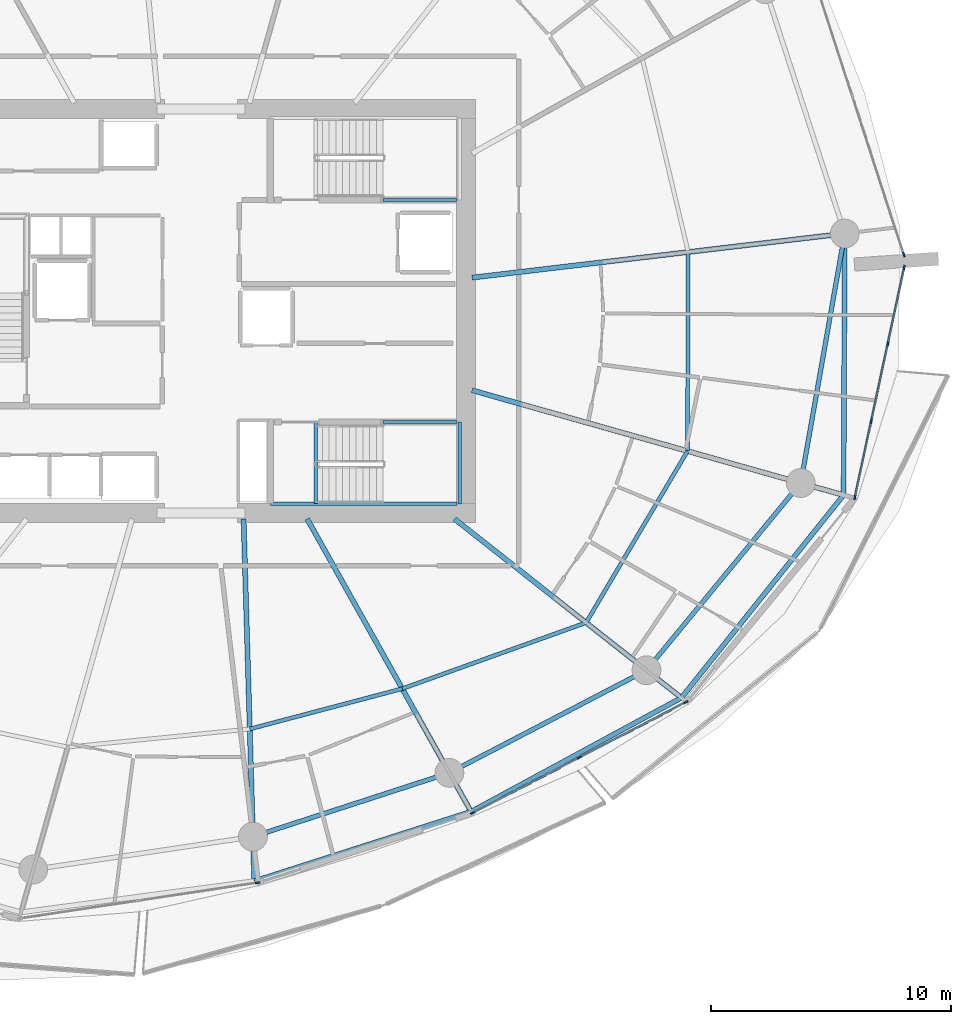
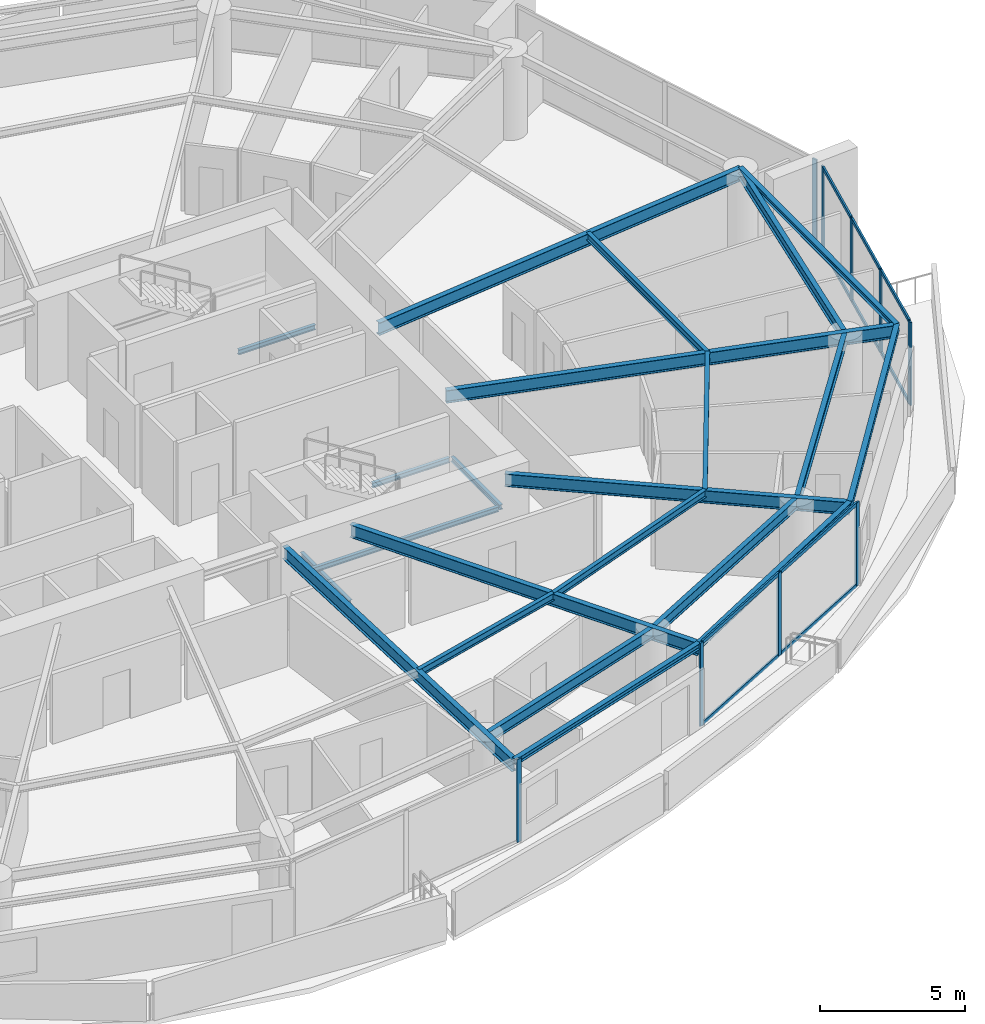
# One storey, part 7 of 23: 22 beams, 19 members, 4 elements without a shape of their own.
"""IFC4 building model written with IfcOpenShell, lengths in metres."""

from ifc_helpers import new_model, si_unit, direction, frame, origin, origin_2d, place, context, subcontext, project, spatial, rectangle, i_section, extrude, material, layer, layer_set, material_profile, profile_set, type_object, element, aggregate, save


model = new_model("IFC4")

# Units and contexts
model_context = context("Model", 3, precision=1e-05, world=origin(), true_north=direction((0.0, 1.0)))
body_context = subcontext(model_context, "Body", "Model", "MODEL_VIEW")
ifc_project = project(units=[si_unit("LENGTHUNIT", "METRE"), si_unit("AREAUNIT", "SQUARE_METRE"), si_unit("VOLUMEUNIT", "CUBIC_METRE"), si_unit("PLANEANGLEUNIT", "RADIAN"), si_unit("MASSUNIT", "GRAM", prefix="KILO")], contexts=[model_context])

# Site, building, storey
site_placement = place(None, origin())
site = spatial("IfcSite", under=ifc_project, at=site_placement, CompositionType="ELEMENT")
building_placement = place(site_placement, origin())
building = spatial("IfcBuilding", under=site, at=building_placement, Name="Kazma Halo Residences", CompositionType="ELEMENT")
storey_placement = place(building_placement, frame((0.0, 0.0, 78.89990234375)))
storey = spatial("IfcBuildingStorey", under=building, at=storey_placement, Name="L19", CompositionType="ELEMENT", Elevation=78.89990234375)

# Beams
ifc_material_1 = material(Name="Steel S355", Category="steel")
ifc_material_profile_1 = material_profile(ifc_material_1, i_section(OverallWidth=0.201904296875, OverallDepth=0.2470703125, WebThickness=0.00732421875, FlangeThickness=0.010986328125, FilletRadius=0.011962890625, at=origin_2d()), Name="W250x49.1")
ifc_profile_set_1 = profile_set([ifc_material_profile_1], Name="Steel S355")
beam_type_1 = type_object("IfcBeamType", Name="BM-BAL-CANT", PredefinedType="BEAM", material=ifc_profile_set_1)
beam_1_placement = place(storey_placement, frame((50.642578125, 18.28173828125, 3.376708984375), z_axis=(0.952319061301, 0.305103925709, 0.0), x_axis=(-0.305103925709, 0.952319061301, 0.0)))
element("IfcBeam", 1, at=beam_1_placement, inside=storey, type_object=beam_type_1, Name="L19 wave-balcony tie beam 12", PredefinedType="BEAM", context=body_context, shape_type="SweptSolid", body=[
    extrude(i_section(OverallWidth=0.201904296875, OverallDepth=0.2470703125, WebThickness=0.00732421875, FlangeThickness=0.010986328125, FilletRadius=0.011962890625, at=origin_2d()), origin(), (0.0, 0.0, 1.0), 9.473388671875),
])
beam_2_placement = place(storey_placement, frame((59.664306640625, 21.172119140625, 3.376708984375), z_axis=(0.87930438671, 0.476260218276, 0.0), x_axis=(-0.476260218276, 0.87930438671, 0.0)))
element("IfcBeam", 2, at=beam_2_placement, inside=storey, type_object=beam_type_1, Name="L19 wave-balcony tie beam 13", PredefinedType="BEAM", context=body_context, shape_type="SweptSolid", body=[
    extrude(i_section(OverallWidth=0.201904296875, OverallDepth=0.2470703125, WebThickness=0.00732421875, FlangeThickness=0.010986328125, FilletRadius=0.011962890625, at=origin_2d()), origin(), (0.0, 0.0, 1.0), 9.94677734375),
])
beam_3_placement = place(storey_placement, frame((68.41064453125, 25.909423828125, 3.376708984375), z_axis=(0.62477775999, 0.78080263231, 0.0), x_axis=(-0.78080263231, 0.62477775999, 0.0)))
element("IfcBeam", 3, at=beam_3_placement, inside=storey, type_object=beam_type_1, Name="L19 wave-balcony tie beam 14", PredefinedType="BEAM", context=body_context, shape_type="SweptSolid", body=[
    extrude(i_section(OverallWidth=0.201904296875, OverallDepth=0.2470703125, WebThickness=0.00732421875, FlangeThickness=0.010986328125, FilletRadius=0.011962890625, at=origin_2d()), origin(), (0.0, 0.0, 1.0), 10.79833984375),
])
beam_4_placement = place(storey_placement, frame((75.1572265625, 34.3408203125, 3.376708984375), z_axis=(0.004532963616, 0.999989726068, 0.0), x_axis=(-0.999989726068, 0.004532963616, 0.0)))
element("IfcBeam", 4, at=beam_4_placement, inside=storey, type_object=beam_type_1, Name="L19 wave-balcony tie beam 15", PredefinedType="BEAM", context=body_context, shape_type="SweptSolid", body=[
    extrude(i_section(OverallWidth=0.201904296875, OverallDepth=0.2470703125, WebThickness=0.00732421875, FlangeThickness=0.010986328125, FilletRadius=0.011962890625, at=origin_2d()), origin(), (0.0, 0.0, 1.0), 10.87939453125),
])
ifc_material_profile_2 = material_profile(ifc_material_1, i_section(OverallWidth=0.208984375, OverallDepth=0.532958984375, WebThickness=0.01025390625, FlangeThickness=0.015625, FilletRadius=0.01611328125, at=origin_2d()), Name="W530x92")
ifc_profile_set_2 = profile_set([ifc_material_profile_2], Name="Steel S355")
beam_type_2 = type_object("IfcBeamType", Name="BM-RAD-W530", PredefinedType="BEAM", material=ifc_profile_set_2)
beam_5_placement = place(storey_placement, frame((50.199951171875, 33.35009765625, 3.233642578125), z_axis=(0.029361929959, -0.999568845587, 0.0), x_axis=(0.999568845587, 0.029361929959, 0.0)))
element("IfcBeam", 5, at=beam_5_placement, inside=storey, type_object=beam_type_2, Name="L19 radial floor beam 12", PredefinedType="BEAM", context=body_context, shape_type="SweptSolid", body=[
    extrude(i_section(OverallWidth=0.208984375, OverallDepth=0.532958984375, WebThickness=0.01025390625, FlangeThickness=0.015625, FilletRadius=0.01611328125, at=origin_2d()), origin(), (0.0, 0.0, 1.0), 15.074951171875),
])
beam_6_placement = place(storey_placement, frame((52.84423828125, 33.35009765625, 3.233642578125), z_axis=(0.488625206529, -0.872493786536, 0.0), x_axis=(0.872493786536, 0.488625206529, 0.0)))
element("IfcBeam", 6, at=beam_6_placement, inside=storey, type_object=beam_type_2, Name="L19 radial floor beam 13", PredefinedType="BEAM", context=body_context, shape_type="SweptSolid", body=[
    extrude(i_section(OverallWidth=0.208984375, OverallDepth=0.532958984375, WebThickness=0.01025390625, FlangeThickness=0.015625, FilletRadius=0.01611328125, at=origin_2d()), origin(), (0.0, 0.0, 1.0), 13.957763671875),
])
beam_7_placement = place(storey_placement, frame((58.972412109375, 33.35009765625, 3.233642578125), z_axis=(0.785309999923, -0.619102741086, 0.0), x_axis=(0.619102741086, 0.785309999923, 0.0)))
element("IfcBeam", 7, at=beam_7_placement, inside=storey, type_object=beam_type_2, Name="L19 radial floor beam 14", PredefinedType="BEAM", context=body_context, shape_type="SweptSolid", body=[
    extrude(i_section(OverallWidth=0.208984375, OverallDepth=0.532958984375, WebThickness=0.01025390625, FlangeThickness=0.015625, FilletRadius=0.01611328125, at=origin_2d()), origin(), (0.0, 0.0, 1.0), 12.0185546875),
])
beam_8_placement = place(storey_placement, frame((59.699951171875, 38.7001953125, 3.233642578125), z_axis=(0.962455684158, -0.271438862419, 0.0), x_axis=(0.271438862419, 0.962455684158, 0.0)))
element("IfcBeam", 8, at=beam_8_placement, inside=storey, type_object=beam_type_2, Name="L19 radial floor beam 15", PredefinedType="BEAM", context=body_context, shape_type="SweptSolid", body=[
    extrude(i_section(OverallWidth=0.208984375, OverallDepth=0.532958984375, WebThickness=0.01025390625, FlangeThickness=0.015625, FilletRadius=0.01611328125, at=origin_2d()), origin(), (0.0, 0.0, 1.0), 16.060302734375),
])
beam_9_placement = place(storey_placement, frame((59.699951171875, 43.384765625, 3.233642578125), z_axis=(0.993067536486, 0.1175451742, 0.0), x_axis=(-0.1175451742, 0.993067536486, 0.0)))
element("IfcBeam", 9, at=beam_9_placement, inside=storey, type_object=beam_type_2, Name="L19 radial floor beam 16", PredefinedType="BEAM", context=body_context, shape_type="SweptSolid", body=[
    extrude(i_section(OverallWidth=0.208984375, OverallDepth=0.532958984375, WebThickness=0.01025390625, FlangeThickness=0.015625, FilletRadius=0.01611328125, at=origin_2d()), origin(), (0.0, 0.0, 1.0), 15.61474609375),
])
ifc_material_profile_3 = material_profile(ifc_material_1, i_section(OverallWidth=0.1650390625, OverallDepth=0.31005859375, WebThickness=0.005859375, FlangeThickness=0.009765625, FilletRadius=0.011962890625, at=origin_2d()), Name="W310x38.7")
ifc_profile_set_3 = profile_set([ifc_material_profile_3], Name="Steel S355")
beam_type_3 = type_object("IfcBeamType", Name="BM-SEC-W310B", PredefinedType="JOIST", material=ifc_profile_set_3)
beam_10_placement = place(storey_placement, frame((50.456787109375, 24.6103515625, 3.34521484375), z_axis=(0.966800191214, 0.255533540398, 0.0), x_axis=(-0.255533540398, 0.966800191214, 0.0)))
element("IfcBeam", 10, at=beam_10_placement, inside=storey, type_object=beam_type_3, Name="L19 circumferential floor joist 12", PredefinedType="JOIST", context=body_context, shape_type="SweptSolid", body=[
    extrude(i_section(OverallWidth=0.1650390625, OverallDepth=0.31005859375, WebThickness=0.005859375, FlangeThickness=0.009765625, FilletRadius=0.011962890625, at=origin_2d()), origin(), (0.0, 0.0, 1.0), 6.560791015625),
])
beam_11_placement = place(storey_placement, frame((56.7998046875, 26.286865234375, 3.34521484375), z_axis=(0.941097126818, 0.338136359913, 0.0), x_axis=(-0.338136359913, 0.941097126818, 0.0)))
element("IfcBeam", 11, at=beam_11_placement, inside=storey, type_object=beam_type_3, Name="L19 circumferential floor joist 13", PredefinedType="JOIST", context=body_context, shape_type="SweptSolid", body=[
    extrude(i_section(OverallWidth=0.1650390625, OverallDepth=0.31005859375, WebThickness=0.005859375, FlangeThickness=0.009765625, FilletRadius=0.011962890625, at=origin_2d()), origin(), (0.0, 0.0, 1.0), 8.12548828125),
])
beam_12_placement = place(storey_placement, frame((64.44677734375, 29.034423828125, 3.34521484375), z_axis=(0.508811652677, 0.860877867122, 0.0), x_axis=(-0.860877867122, 0.508811652677, 0.0)))
element("IfcBeam", 12, at=beam_12_placement, inside=storey, type_object=beam_type_3, Name="L19 circumferential floor joist 14", PredefinedType="JOIST", context=body_context, shape_type="SweptSolid", body=[
    extrude(i_section(OverallWidth=0.1650390625, OverallDepth=0.31005859375, WebThickness=0.005859375, FlangeThickness=0.009765625, FilletRadius=0.011962890625, at=origin_2d()), origin(), (0.0, 0.0, 1.0), 8.291015625),
])
beam_13_placement = place(storey_placement, frame((68.665283203125, 36.171875, 3.34521484375), z_axis=(0.003450899697, 0.999994045628, 0.0), x_axis=(-0.999994045628, 0.003450899697, 0.0)))
element("IfcBeam", 13, at=beam_13_placement, inside=storey, type_object=beam_type_3, Name="L19 circumferential floor joist 15", PredefinedType="JOIST", context=body_context, shape_type="SweptSolid", body=[
    extrude(i_section(OverallWidth=0.1650390625, OverallDepth=0.31005859375, WebThickness=0.005859375, FlangeThickness=0.009765625, FilletRadius=0.011962890625, at=origin_2d()), origin(), (0.0, 0.0, 1.0), 8.27734375),
])
ifc_material_profile_4 = material_profile(ifc_material_1, i_section(OverallWidth=0.18994140625, OverallDepth=0.45703125, WebThickness=0.009033203125, FlangeThickness=0.014404296875, FilletRadius=0.01611328125, at=origin_2d()), Name="W460x74")
ifc_profile_set_4 = profile_set([ifc_material_profile_4], Name="Steel S355")
beam_type_4 = type_object("IfcBeamType", Name="BM-SPN-W460", PredefinedType="BEAM", material=ifc_profile_set_4)
beam_14_placement = place(storey_placement, frame((50.58837890625, 20.130859375, 3.271484375), z_axis=(0.951054111927, 0.30902439416, 0.0), x_axis=(-0.30902439416, 0.951054111927, 0.0)))
element("IfcBeam", 14, at=beam_14_placement, inside=storey, type_object=beam_type_4, Name="L19 perimeter ring beam 12", PredefinedType="BEAM", context=body_context, shape_type="SweptSolid", body=[
    extrude(i_section(OverallWidth=0.18994140625, OverallDepth=0.45703125, WebThickness=0.009033203125, FlangeThickness=0.014404296875, FilletRadius=0.01611328125, at=origin_2d()), origin(), (0.0, 0.0, 1.0), 8.592529296875),
])
beam_15_placement = place(storey_placement, frame((58.76025390625, 22.7861328125, 3.271484375), z_axis=(0.886963229644, 0.461840047266, 0.0), x_axis=(-0.461840047266, 0.886963229644, 0.0)))
element("IfcBeam", 15, at=beam_15_placement, inside=storey, type_object=beam_type_4, Name="L19 perimeter ring beam 13", PredefinedType="BEAM", context=body_context, shape_type="SweptSolid", body=[
    extrude(i_section(OverallWidth=0.18994140625, OverallDepth=0.45703125, WebThickness=0.009033203125, FlangeThickness=0.014404296875, FilletRadius=0.01611328125, at=origin_2d()), origin(), (0.0, 0.0, 1.0), 9.242431640625),
])
beam_16_placement = place(storey_placement, frame((66.9580078125, 27.0546875, 3.271484375), z_axis=(0.635989564566, 0.771697656963, 0.0), x_axis=(-0.771697656963, 0.635989564566, 0.0)))
element("IfcBeam", 16, at=beam_16_placement, inside=storey, type_object=beam_type_4, Name="L19 perimeter ring beam 14", PredefinedType="BEAM", context=body_context, shape_type="SweptSolid", body=[
    extrude(i_section(OverallWidth=0.18994140625, OverallDepth=0.45703125, WebThickness=0.009033203125, FlangeThickness=0.014404296875, FilletRadius=0.01611328125, at=origin_2d()), origin(), (0.0, 0.0, 1.0), 10.092529296875),
])
beam_17_placement = place(storey_placement, frame((73.376708984375, 34.843017578125, 3.271484375), z_axis=(0.173653159051, 0.984806874647, 0.0), x_axis=(-0.984806874647, 0.173653159051, 0.0)))
element("IfcBeam", 17, at=beam_17_placement, inside=storey, type_object=beam_type_4, Name="L19 perimeter ring beam 15", PredefinedType="BEAM", context=body_context, shape_type="SweptSolid", body=[
    extrude(i_section(OverallWidth=0.18994140625, OverallDepth=0.45703125, WebThickness=0.009033203125, FlangeThickness=0.014404296875, FilletRadius=0.01611328125, at=origin_2d()), origin(), (0.0, 0.0, 1.0), 10.537353515625),
])
ifc_material_profile_5 = material_profile(ifc_material_1, i_section(OverallWidth=0.133056640625, OverallDepth=0.20703125, WebThickness=0.005859375, FlangeThickness=0.00830078125, FilletRadius=0.010009765625, at=origin_2d()), Name="W200x26.6")
ifc_profile_set_5 = profile_set([ifc_material_profile_5], Name="Steel S355")
beam_type_5 = type_object("IfcBeamType", Name="BM-TRIM-W200", PredefinedType="BEAM", material=ifc_profile_set_5)
beam_18_placement = place(storey_placement, frame((53.199951171875, 34.0, -0.35986328125), z_axis=(0.0, 1.0, 0.0), x_axis=(-1.0, 0.0, 0.0)))
element("IfcBeam", 18, at=beam_18_placement, inside=storey, type_object=beam_type_5, Name="L19 ST-03 floor landing support beam", PredefinedType="BEAM", context=body_context, shape_type="SweptSolid", body=[
    extrude(i_section(OverallWidth=0.133056640625, OverallDepth=0.20703125, WebThickness=0.005859375, FlangeThickness=0.00830078125, FilletRadius=0.010009765625, at=origin_2d()), origin(), (0.0, 0.0, 1.0), 3.3798828125),
])
beam_19_placement = place(storey_placement, frame((56.0, 46.6201171875, 1.570068359375), z_axis=(1.0, 0.0, 0.0), x_axis=(0.0, 1.0, 0.0)))
element("IfcBeam", 19, at=beam_19_placement, inside=storey, type_object=beam_type_5, Name="L19 ST-02 landing south wall ledger", PredefinedType="BEAM", context=body_context, shape_type="SweptSolid", body=[
    extrude(i_section(OverallWidth=0.133056640625, OverallDepth=0.20703125, WebThickness=0.005859375, FlangeThickness=0.00830078125, FilletRadius=0.010009765625, at=origin_2d()), origin(), (0.0, 0.0, 1.0), 3.070068359375),
])
beam_20_placement = place(storey_placement, frame((51.31005859375, 33.97998046875, 1.570068359375), z_axis=(1.0, 0.0, 0.0), x_axis=(0.0, 1.0, 0.0)))
element("IfcBeam", 20, at=beam_20_placement, inside=storey, type_object=beam_type_5, Name="L19 ST-03 landing south wall ledger", PredefinedType="BEAM", context=body_context, shape_type="SweptSolid", body=[
    extrude(i_section(OverallWidth=0.133056640625, OverallDepth=0.20703125, WebThickness=0.005859375, FlangeThickness=0.00830078125, FilletRadius=0.010009765625, at=origin_2d()), origin(), (0.0, 0.0, 1.0), 7.760009765625),
])
beam_21_placement = place(storey_placement, frame((56.0, 37.3798828125, 1.570068359375), z_axis=(1.0, 0.0, 0.0), x_axis=(0.0, 1.0, 0.0)))
element("IfcBeam", 21, at=beam_21_placement, inside=storey, type_object=beam_type_5, Name="L19 ST-03 landing north wall ledger", PredefinedType="BEAM", context=body_context, shape_type="SweptSolid", body=[
    extrude(i_section(OverallWidth=0.133056640625, OverallDepth=0.20703125, WebThickness=0.005859375, FlangeThickness=0.00830078125, FilletRadius=0.010009765625, at=origin_2d()), origin(), (0.0, 0.0, 1.0), 3.070068359375),
])
beam_22_placement = place(storey_placement, frame((59.18994140625, 33.97998046875, 1.570068359375), z_axis=(0.0, 1.0, 0.0), x_axis=(-1.0, 0.0, 0.0)))
element("IfcBeam", 22, at=beam_22_placement, inside=storey, type_object=beam_type_5, Name="L19 ST-03 landing end wall ledger", PredefinedType="BEAM", context=body_context, shape_type="SweptSolid", body=[
    extrude(i_section(OverallWidth=0.133056640625, OverallDepth=0.20703125, WebThickness=0.005859375, FlangeThickness=0.00830078125, FilletRadius=0.010009765625, at=origin_2d()), origin(), (0.0, 0.0, 1.0), 3.39990234375),
])

# Curtain wall, member
ifc_material_2 = material(Name="Aluminium AW-6063 T6 and Triple-Silver Low-E Glass", Category="aluminium")
ifc_layer = layer(ifc_material_2, 0.199951171875)
ifc_layer_set = layer_set([ifc_layer], Name="Aluminium AW-6063 T6 and Triple-Silver Low-E Glass")
curtain_wall_type = type_object("IfcCurtainWallType", Name="CW-SYS-3", PredefinedType="NOTDEFINED", material=ifc_layer_set)
curtain_wall_1_placement = place(storey_placement, origin())
curtain_wall_1 = element("IfcCurtainWall", 23, at=curtain_wall_1_placement, inside=storey, type_object=curtain_wall_type, Name="L19 unitised curtain wall B11", PredefinedType="NOTDEFINED")
ifc_material_3 = material(Name="Aluminium AW-6063 T6", Category="aluminium")
ifc_material_profile_6 = material_profile(ifc_material_3, rectangle(XDim=0.070068359375, YDim=0.199951171875, at=origin_2d()), Name="CWM-70x200")
ifc_profile_set_6 = profile_set([ifc_material_profile_6], Name="Aluminium AW-6063 T6")
member_type_1 = type_object("IfcMemberType", Name="CW-SYS-3-MUL", PredefinedType="MULLION", material=ifc_profile_set_6)
member_1_placement = place(storey_placement, frame((50.780029296875, 18.21337890625, 0.0), z_axis=(0.0, 0.0, 1.0), x_axis=(-0.148717330409, 0.988879747814, 0.0)))
member_1 = element("IfcMember", 24, at=member_1_placement, type_object=member_type_1, Name="CWS-3 mullion 3", PredefinedType="MULLION", context=body_context, shape_type="SweptSolid", body=[
    extrude(rectangle(XDim=0.070068359375, YDim=0.199951171875, at=origin_2d()), origin(), (0.0, 0.0, 1.0), 3.5),
])
aggregate(curtain_wall_1, [member_1])

# Curtain wall, members
curtain_wall_2_placement = place(storey_placement, origin())
curtain_wall_2 = element("IfcCurtainWall", 25, at=curtain_wall_2_placement, inside=storey, type_object=curtain_wall_type, Name="L19 unitised curtain wall B13", PredefinedType="NOTDEFINED")
member_2_placement = place(storey_placement, frame((59.732177734375, 21.1220703125, 0.0), z_axis=(0.0, 0.0, 1.0), x_axis=(-0.460932159481, 0.887435374749, 0.0)))
member_2 = element("IfcMember", 26, at=member_2_placement, type_object=member_type_1, Name="CWS-3 mullion 1", PredefinedType="MULLION", context=body_context, shape_type="SweptSolid", body=[
    extrude(rectangle(XDim=0.070068359375, YDim=0.199951171875, at=origin_2d()), origin(), (0.0, 0.0, 1.0), 3.5),
])
member_3_placement = place(storey_placement, frame((64.1630859375, 23.42333984375, 0.0), z_axis=(0.0, 0.0, 1.0), x_axis=(-0.460932159481, 0.887435374749, 0.0)))
member_3 = element("IfcMember", 27, at=member_3_placement, type_object=member_type_1, Name="CWS-3 mullion 2", PredefinedType="MULLION", context=body_context, shape_type="SweptSolid", body=[
    extrude(rectangle(XDim=0.070068359375, YDim=0.199951171875, at=origin_2d()), origin(), (0.0, 0.0, 1.0), 3.5),
])
member_4_placement = place(storey_placement, frame((68.59375, 25.724609375, 0.0), z_axis=(0.0, 0.0, 1.0), x_axis=(-0.460932159481, 0.887435374749, 0.0)))
member_4 = element("IfcMember", 28, at=member_4_placement, type_object=member_type_1, Name="CWS-3 mullion 3", PredefinedType="MULLION", context=body_context, shape_type="SweptSolid", body=[
    extrude(rectangle(XDim=0.070068359375, YDim=0.199951171875, at=origin_2d()), origin(), (0.0, 0.0, 1.0), 3.5),
])

curtain_wall_3_placement = place(storey_placement, origin())
curtain_wall_3 = element("IfcCurtainWall", 29, at=curtain_wall_3_placement, inside=storey, type_object=curtain_wall_type, Name="L19 unitised curtain wall B15", PredefinedType="NOTDEFINED")
member_5_placement = place(storey_placement, frame((75.6259765625, 34.244873046875, 0.0), z_axis=(0.0, 0.0, 1.0), x_axis=(-0.977774176093, 0.209660822677, 0.0)))
member_5 = element("IfcMember", 30, at=member_5_placement, type_object=member_type_1, Name="CWS-3 mullion 1", PredefinedType="MULLION", context=body_context, shape_type="SweptSolid", body=[
    extrude(rectangle(XDim=0.070068359375, YDim=0.199951171875, at=origin_2d()), origin(), (0.0, 0.0, 1.0), 3.5),
])
member_6_placement = place(storey_placement, frame((76.30712890625, 37.4208984375, 0.0), z_axis=(0.0, 0.0, 1.0), x_axis=(-0.977774176093, 0.209660822677, 0.0)))
member_6 = element("IfcMember", 31, at=member_6_placement, type_object=member_type_1, Name="CWS-3 mullion 2", PredefinedType="MULLION", context=body_context, shape_type="SweptSolid", body=[
    extrude(rectangle(XDim=0.070068359375, YDim=0.199951171875, at=origin_2d()), origin(), (0.0, 0.0, 1.0), 3.5),
])
member_7_placement = place(storey_placement, frame((76.995361328125, 40.63134765625, 0.0), z_axis=(0.0, 0.0, 1.0), x_axis=(-0.977774176093, 0.209660822677, 0.0)))
member_7 = element("IfcMember", 32, at=member_7_placement, type_object=member_type_1, Name="CWS-3 mullion 3", PredefinedType="MULLION", context=body_context, shape_type="SweptSolid", body=[
    extrude(rectangle(XDim=0.070068359375, YDim=0.199951171875, at=origin_2d()), origin(), (0.0, 0.0, 1.0), 3.5),
])
member_8_placement = place(storey_placement, frame((77.676513671875, 43.807373046875, 0.0), z_axis=(0.0, 0.0, 1.0), x_axis=(-0.977774176093, 0.209660822677, 0.0)))
member_8 = element("IfcMember", 33, at=member_8_placement, type_object=member_type_1, Name="CWS-3 mullion 4", PredefinedType="MULLION", context=body_context, shape_type="SweptSolid", body=[
    extrude(rectangle(XDim=0.070068359375, YDim=0.199951171875, at=origin_2d()), origin(), (0.0, 0.0, 1.0), 3.5),
])

# Curtain wall, member
curtain_wall_4_placement = place(storey_placement, origin())
curtain_wall_4 = element("IfcCurtainWall", 34, at=curtain_wall_4_placement, inside=storey, type_object=curtain_wall_type, Name="L19 unitised curtain wall B16", PredefinedType="NOTDEFINED")
member_9_placement = place(storey_placement, frame((77.665283203125, 44.3427734375, 0.0), z_axis=(0.0, 0.0, 1.0), x_axis=(-0.951057722508, -0.309013282008, 0.0)))
member_9 = element("IfcMember", 35, at=member_9_placement, type_object=member_type_1, Name="CWS-3 mullion 1", PredefinedType="MULLION", context=body_context, shape_type="SweptSolid", body=[
    extrude(rectangle(XDim=0.070068359375, YDim=0.199951171875, at=origin_2d()), origin(), (0.0, 0.0, 1.0), 3.5),
])
aggregate(curtain_wall_4, [member_9])

# Member
ifc_material_profile_7 = material_profile(ifc_material_3, rectangle(XDim=0.070068359375, YDim=0.14990234375, at=origin_2d()), Name="CWT-70x150")
ifc_profile_set_7 = profile_set([ifc_material_profile_7], Name="Aluminium AW-6063 T6")
member_type_2 = type_object("IfcMemberType", Name="CW-SYS-3-TRN", PredefinedType="USERDEFINED", material=ifc_profile_set_7)
member_10_placement = place(storey_placement, frame((59.763427734375, 21.13818359375, 0.03515625), z_axis=(0.887427024944, 0.460948235054, 0.0), x_axis=(-0.460948235054, 0.887427024944, 0.0)))
member_10 = element("IfcMember", 36, at=member_10_placement, type_object=member_type_2, Name="CWS-3 transom 1.1", ObjectType="TRANSOM", PredefinedType="USERDEFINED", context=body_context, shape_type="SweptSolid", body=[
    extrude(rectangle(XDim=0.070068359375, YDim=0.14990234375, at=origin_2d()), origin(), (0.0, 0.0, 1.0), 4.922607421875),
])

member_11_placement = place(storey_placement, frame((59.763427734375, 21.13818359375, 3.465087890625), z_axis=(0.887427024944, 0.460948235054, 0.0), x_axis=(-0.460948235054, 0.887427024944, 0.0)))
member_11 = element("IfcMember", 37, at=member_11_placement, type_object=member_type_2, Name="CWS-3 transom 1.2", ObjectType="TRANSOM", PredefinedType="USERDEFINED", context=body_context, shape_type="SweptSolid", body=[
    extrude(rectangle(XDim=0.070068359375, YDim=0.14990234375, at=origin_2d()), origin(), (0.0, 0.0, 1.0), 4.922607421875),
])

member_12_placement = place(storey_placement, frame((64.194091796875, 23.439453125, 0.03515625), z_axis=(0.887437562141, 0.460927948058, 0.0), x_axis=(-0.460927948058, 0.887437562141, 0.0)))
member_12 = element("IfcMember", 38, at=member_12_placement, type_object=member_type_2, Name="CWS-3 transom 2.1", ObjectType="TRANSOM", PredefinedType="USERDEFINED", context=body_context, shape_type="SweptSolid", body=[
    extrude(rectangle(XDim=0.070068359375, YDim=0.14990234375, at=origin_2d()), origin(), (0.0, 0.0, 1.0), 4.9228515625),
])

member_13_placement = place(storey_placement, frame((64.194091796875, 23.439453125, 3.465087890625), z_axis=(0.887437562141, 0.460927948058, 0.0), x_axis=(-0.460927948058, 0.887437562141, 0.0)))
member_13 = element("IfcMember", 39, at=member_13_placement, type_object=member_type_2, Name="CWS-3 transom 2.2", ObjectType="TRANSOM", PredefinedType="USERDEFINED", context=body_context, shape_type="SweptSolid", body=[
    extrude(rectangle(XDim=0.070068359375, YDim=0.14990234375, at=origin_2d()), origin(), (0.0, 0.0, 1.0), 4.9228515625),
])

aggregate(curtain_wall_2, [member_2, member_3, member_4, member_10, member_11, member_12, member_13])

member_14_placement = place(storey_placement, frame((75.63330078125, 34.279052734375, 0.03515625), z_axis=(0.209702197956, 0.977765303216, 0.0), x_axis=(-0.977765303216, 0.209702197956, 0.0)))
member_14 = element("IfcMember", 40, at=member_14_placement, type_object=member_type_2, Name="CWS-3 transom 1.1", ObjectType="TRANSOM", PredefinedType="USERDEFINED", context=body_context, shape_type="SweptSolid", body=[
    extrude(rectangle(XDim=0.070068359375, YDim=0.14990234375, at=origin_2d()), origin(), (0.0, 0.0, 1.0), 3.17822265625),
])

member_15_placement = place(storey_placement, frame((75.63330078125, 34.279052734375, 3.465087890625), z_axis=(0.209702197956, 0.977765303216, 0.0), x_axis=(-0.977765303216, 0.209702197956, 0.0)))
member_15 = element("IfcMember", 41, at=member_15_placement, type_object=member_type_2, Name="CWS-3 transom 1.2", ObjectType="TRANSOM", PredefinedType="USERDEFINED", context=body_context, shape_type="SweptSolid", body=[
    extrude(rectangle(XDim=0.070068359375, YDim=0.14990234375, at=origin_2d()), origin(), (0.0, 0.0, 1.0), 3.17822265625),
])

member_16_placement = place(storey_placement, frame((76.314453125, 37.455078125, 0.03515625), z_axis=(0.209627675811, 0.977781283076, 0.0), x_axis=(-0.977781283076, 0.209627675811, 0.0)))
member_16 = element("IfcMember", 42, at=member_16_placement, type_object=member_type_2, Name="CWS-3 transom 2.1", ObjectType="TRANSOM", PredefinedType="USERDEFINED", context=body_context, shape_type="SweptSolid", body=[
    extrude(rectangle(XDim=0.070068359375, YDim=0.14990234375, at=origin_2d()), origin(), (0.0, 0.0, 1.0), 3.213134765625),
])

member_17_placement = place(storey_placement, frame((76.314453125, 37.455078125, 3.465087890625), z_axis=(0.209627675811, 0.977781283076, 0.0), x_axis=(-0.977781283076, 0.209627675811, 0.0)))
member_17 = element("IfcMember", 43, at=member_17_placement, type_object=member_type_2, Name="CWS-3 transom 2.2", ObjectType="TRANSOM", PredefinedType="USERDEFINED", context=body_context, shape_type="SweptSolid", body=[
    extrude(rectangle(XDim=0.070068359375, YDim=0.14990234375, at=origin_2d()), origin(), (0.0, 0.0, 1.0), 3.213134765625),
])

member_18_placement = place(storey_placement, frame((77.002685546875, 40.66552734375, 0.03515625), z_axis=(0.209717949017, 0.977761924939, 0.0), x_axis=(-0.977761924939, 0.209717949017, 0.0)))
member_18 = element("IfcMember", 44, at=member_18_placement, type_object=member_type_2, Name="CWS-3 transom 3.1", ObjectType="TRANSOM", PredefinedType="USERDEFINED", context=body_context, shape_type="SweptSolid", body=[
    extrude(rectangle(XDim=0.070068359375, YDim=0.14990234375, at=origin_2d()), origin(), (0.0, 0.0, 1.0), 3.177978515625),
])

member_19_placement = place(storey_placement, frame((77.002685546875, 40.66552734375, 3.465087890625), z_axis=(0.209717949017, 0.977761924939, 0.0), x_axis=(-0.977761924939, 0.209717949017, 0.0)))
member_19 = element("IfcMember", 45, at=member_19_placement, type_object=member_type_2, Name="CWS-3 transom 3.2", ObjectType="TRANSOM", PredefinedType="USERDEFINED", context=body_context, shape_type="SweptSolid", body=[
    extrude(rectangle(XDim=0.070068359375, YDim=0.14990234375, at=origin_2d()), origin(), (0.0, 0.0, 1.0), 3.177978515625),
])

aggregate(curtain_wall_3, [member_5, member_6, member_7, member_8, member_14, member_15, member_16, member_17, member_18, member_19])

save(model, "model.ifc")
